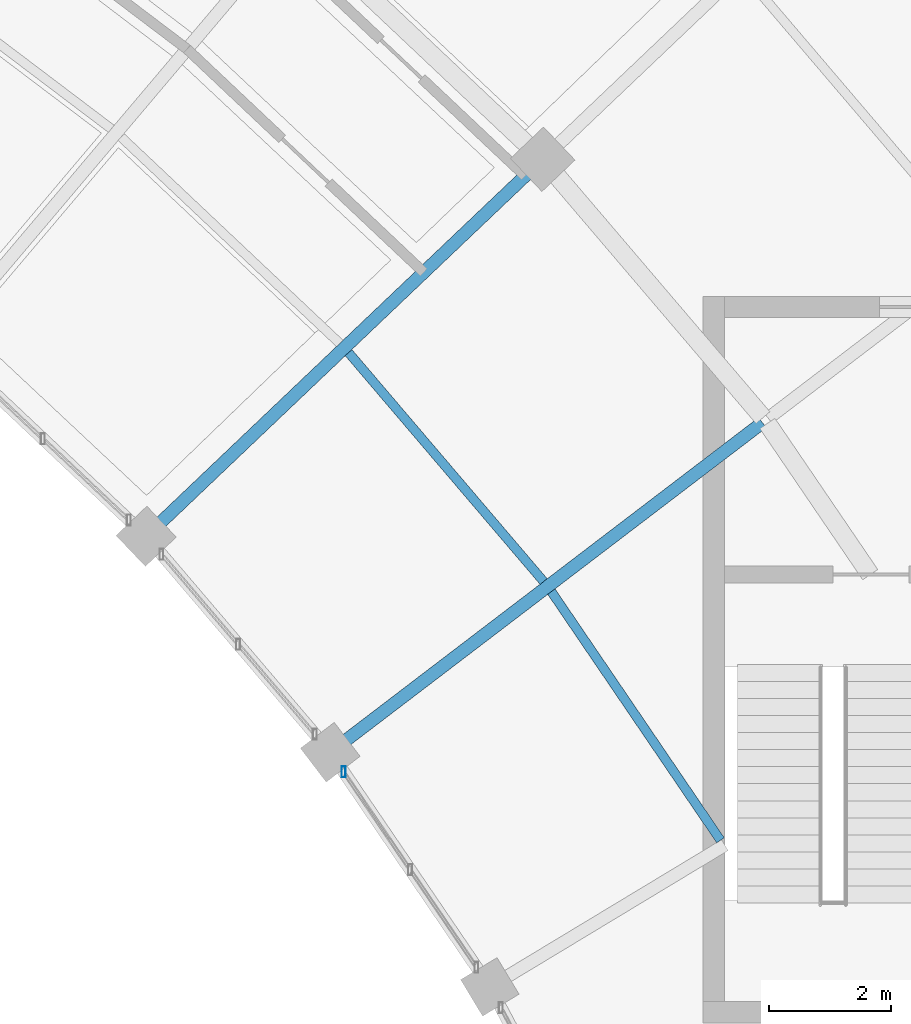
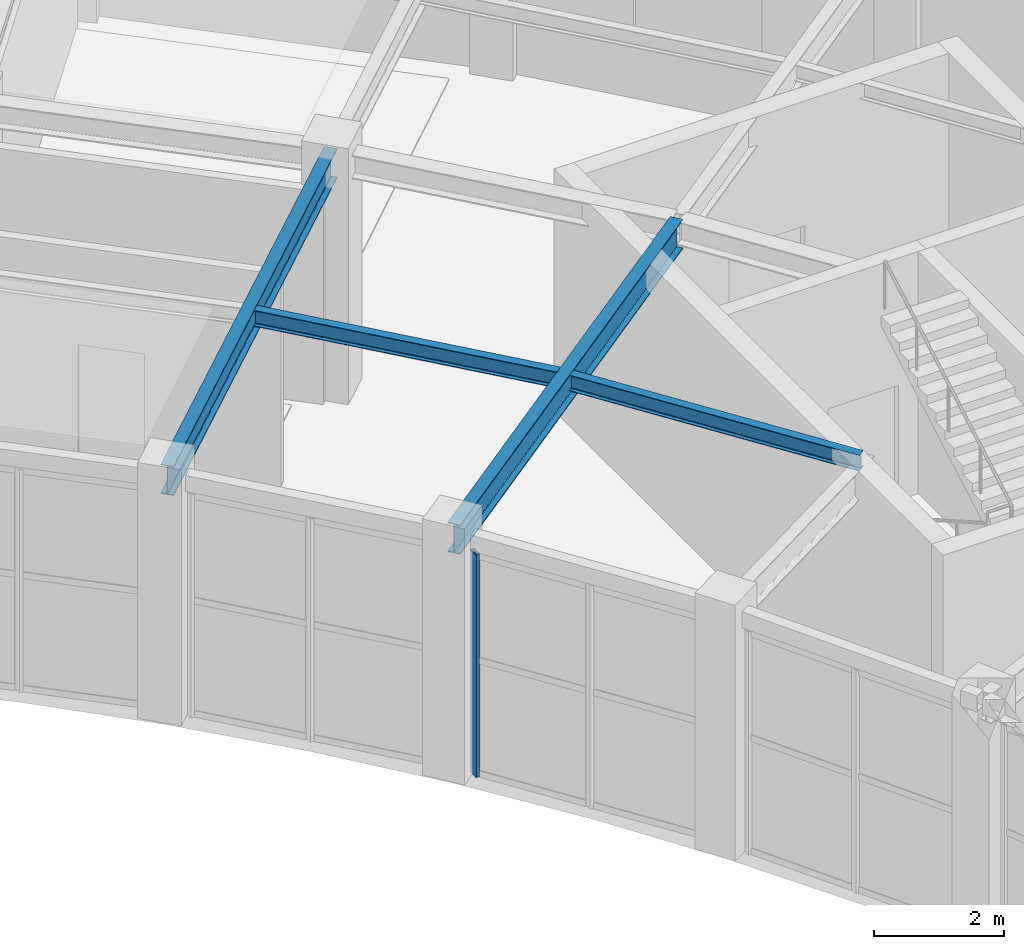
# One storey, part 65 of 100: 4 beams, 1 member, 1 element without a shape of its own.
"""IFC4 building model written with IfcOpenShell, lengths in metres."""

from ifc_helpers import new_model, si_unit, direction, frame, origin, origin_2d, place, context, subcontext, project, spatial, hollow_rectangle, i_section, extrude, material, material_profile, profile_set, type_object, element, aggregate, save


model = new_model("IFC4")

# Units and contexts
model_context = context("Model", 3, precision=1e-05, world=origin(), true_north=direction((0.0, 1.0)))
body_context = subcontext(model_context, "Body", "Model", "MODEL_VIEW")
ifc_project = project(units=[si_unit("LENGTHUNIT", "METRE"), si_unit("AREAUNIT", "SQUARE_METRE"), si_unit("VOLUMEUNIT", "CUBIC_METRE"), si_unit("PLANEANGLEUNIT", "RADIAN"), si_unit("MASSUNIT", "GRAM", prefix="KILO")], contexts=[model_context])

# Site, building, storey
site_placement = place(None, origin())
site = spatial("IfcSite", under=ifc_project, at=site_placement, CompositionType="ELEMENT")
building_placement = place(site_placement, origin())
building = spatial("IfcBuilding", under=site, at=building_placement, Name="Tarnveldt Headland Concert Hall", CompositionType="ELEMENT")
storey_placement = place(building_placement, frame((0.0, 0.0, 4.800048828125)))
storey = spatial("IfcBuildingStorey", under=building, at=storey_placement, Name="L01", CompositionType="ELEMENT", Elevation=4.800048828125)

# Curtain wall, member
ifc_material_1 = material(Name="Marine-anodised aluminium EN AW-6063-T6", Category="aluminium")
curtain_wall_type = type_object("IfcCurtainWallType", Name="CW-C2", PredefinedType="NOTDEFINED", material=ifc_material_1)
curtain_wall_placement = place(storey_placement, origin())
curtain_wall = element("IfcCurtainWall", 1, at=curtain_wall_placement, inside=storey, type_object=curtain_wall_type, Name="Curtain wall CW-L01-119", PredefinedType="NOTDEFINED")
ifc_material_profile_1 = material_profile(ifc_material_1, hollow_rectangle(XDim=0.06494140625, YDim=0.179931640625, WallThickness=0.00390625, at=origin_2d()), Name="ALU MULLION 65x180x4", Category="aluminium")
ifc_profile_set_1 = profile_set([ifc_material_profile_1], Name="Marine-anodised aluminium EN AW-6063-T6")
member_type = type_object("IfcMemberType", Name="ML-180", PredefinedType="MULLION", material=ifc_profile_set_1)
member_placement = place(storey_placement, frame((151.909423828125, 85.7548828125, 0.0), z_axis=(0.0, 0.0, 1.0), x_axis=(1.0, 0.0, 0.0)))
member = element("IfcMember", 2, at=member_placement, type_object=member_type, Name="Mullion CW-L01-119-3", PredefinedType="MULLION", context=body_context, shape_type="SweptSolid", body=[
    extrude(hollow_rectangle(XDim=0.06494140625, YDim=0.179931640625, WallThickness=0.00390625, at=origin_2d()), origin(), (0.0, 0.0, 1.0), 4.179931640625),
])
aggregate(curtain_wall, [member])

# Beams
ifc_material_2 = material(Name="Steel S355", Category="steel")
ifc_material_profile_2 = material_profile(ifc_material_2, i_section(OverallWidth=0.14990234375, OverallDepth=0.300048828125, WebThickness=0.007080078125, FlangeThickness=0.0107421875, FilletRadius=0.014892578125, at=origin_2d()), Name="IPE300", Category="steel")
ifc_profile_set_2 = profile_set([ifc_material_profile_2], Name="Steel S355")
beam_type_1 = type_object("IfcBeamType", Name="SB-IPE300", PredefinedType="JOIST", material=ifc_profile_set_2)
beam_1_placement = place(storey_placement, frame((158.10888671875, 84.6298828125, 4.389892578125), z_axis=(-0.562388329388, 0.82687324722, 0.0), x_axis=(-0.82687324722, -0.562388329388, 0.0)))
element("IfcBeam", 3, at=beam_1_placement, inside=storey, type_object=beam_type_1, Name="Framing beam L01-838", PredefinedType="JOIST", context=body_context, shape_type="SweptSolid", body=[
    extrude(i_section(OverallWidth=0.14990234375, OverallDepth=0.300048828125, WebThickness=0.007080078125, FlangeThickness=0.0107421875, FilletRadius=0.014892578125, at=origin_2d()), origin(), (0.0, 0.0, 1.0), 4.94580078125),
])
beam_2_placement = place(storey_placement, frame((155.2001953125, 88.88623046875, 4.389892578125), z_axis=(-0.648699496025, 0.761044652998, 0.0), x_axis=(-0.761044652998, -0.648699496025, 0.0)))
element("IfcBeam", 4, at=beam_2_placement, inside=storey, type_object=beam_type_1, Name="Framing beam L01-845", PredefinedType="JOIST", context=body_context, shape_type="SweptSolid", body=[
    extrude(i_section(OverallWidth=0.14990234375, OverallDepth=0.300048828125, WebThickness=0.007080078125, FlangeThickness=0.0107421875, FilletRadius=0.014892578125, at=origin_2d()), origin(), (0.0, 0.0, 1.0), 4.946044921875),
])
ifc_material_profile_3 = material_profile(ifc_material_2, i_section(OverallWidth=0.2099609375, OverallDepth=0.550048828125, WebThickness=0.010986328125, FlangeThickness=0.01708984375, FilletRadius=0.02392578125, at=origin_2d()), Name="IPE550", Category="steel")
ifc_profile_set_3 = profile_set([ifc_material_profile_3], Name="Steel S355")
beam_type_2 = type_object("IfcBeamType", Name="SB-IPE550", PredefinedType="BEAM", material=ifc_profile_set_3)
beam_3_placement = place(storey_placement, frame((151.73779296875, 86.11376953125, 4.264892578125), z_axis=(0.795127420909, 0.6064424, 0.0), x_axis=(-0.6064424, 0.795127420909, 0.0)))
element("IfcBeam", 5, at=beam_3_placement, inside=storey, type_object=beam_type_2, Name="Framing beam L01-840", PredefinedType="BEAM", context=body_context, shape_type="SweptSolid", body=[
    extrude(i_section(OverallWidth=0.2099609375, OverallDepth=0.550048828125, WebThickness=0.010986328125, FlangeThickness=0.01708984375, FilletRadius=0.02392578125, at=origin_2d()), origin(), (0.0, 0.0, 1.0), 8.880126953125),
])
beam_4_placement = place(storey_placement, frame((148.705810546875, 89.6708984375, 4.264892578125), z_axis=(0.724698020854, 0.689066599517, 0.0), x_axis=(-0.689066599517, 0.724698020854, 0.0)))
element("IfcBeam", 6, at=beam_4_placement, inside=storey, type_object=beam_type_2, Name="Framing beam L01-847", PredefinedType="BEAM", context=body_context, shape_type="SweptSolid", body=[
    extrude(i_section(OverallWidth=0.2099609375, OverallDepth=0.550048828125, WebThickness=0.010986328125, FlangeThickness=0.01708984375, FilletRadius=0.02392578125, at=origin_2d()), origin(), (0.0, 0.0, 1.0), 8.8798828125),
])

save(model, "model.ifc")
